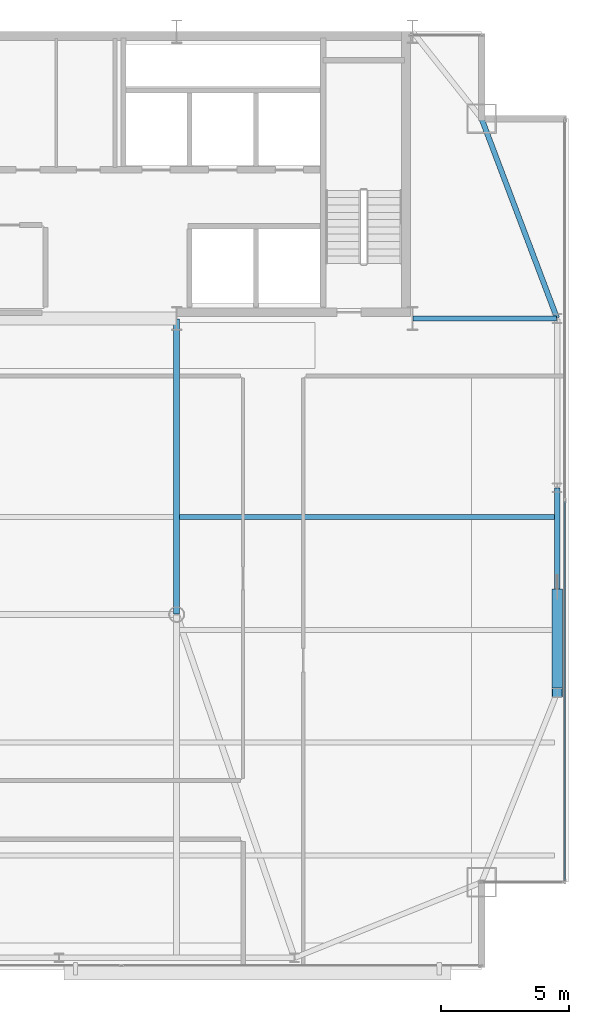
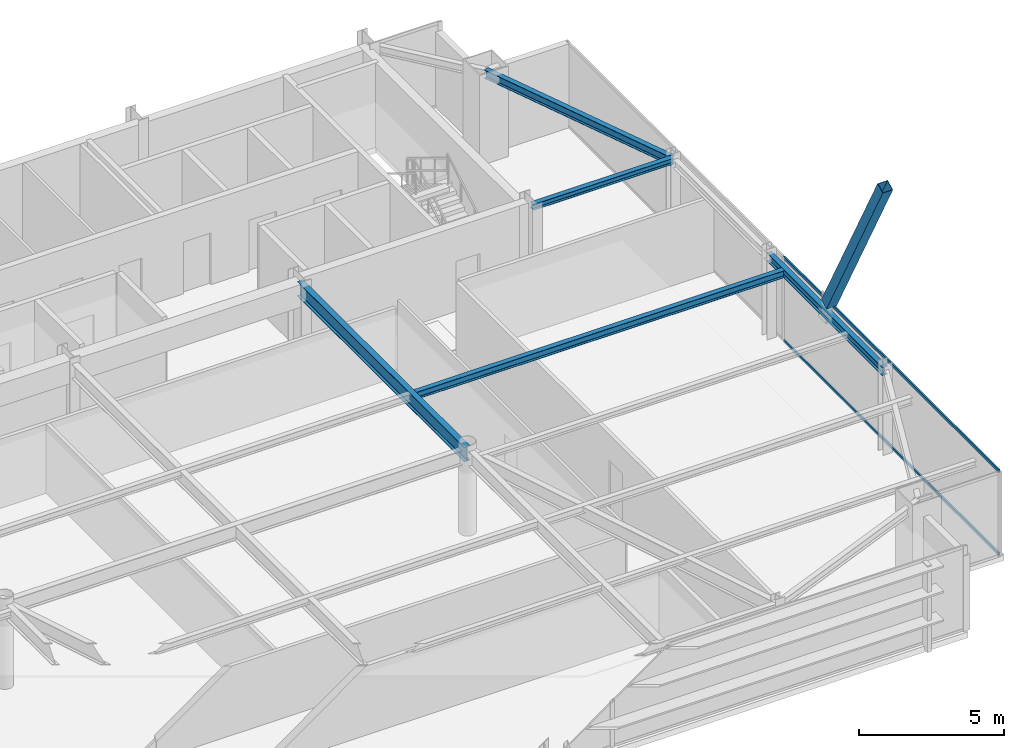
# One storey, part 15 of 27: 5 beams, 3 members, 1 element without a shape of its own.
"""IFC4 building model written with IfcOpenShell, lengths in metres."""

from ifc_helpers import new_model, si_unit, direction, frame, origin, origin_2d, place, context, subcontext, project, spatial, hollow_rectangle, i_section, extrude, source, transform, mapped, material, layer, layer_set, material_profile, profile_set, type_object, type_shapes, element, aggregate, save


model = new_model("IFC4")

# Units and contexts
model_context = context("Model", 3, precision=1e-05, world=origin(), true_north=direction((0.0, 1.0)))
body_context = subcontext(model_context, "Body", "Model", "MODEL_VIEW")
ifc_project = project(units=[si_unit("LENGTHUNIT", "METRE"), si_unit("AREAUNIT", "SQUARE_METRE"), si_unit("VOLUMEUNIT", "CUBIC_METRE"), si_unit("PLANEANGLEUNIT", "RADIAN"), si_unit("MASSUNIT", "GRAM", prefix="KILO")], contexts=[model_context])

# Site, building, storey
site_placement = place(None, origin())
site = spatial("IfcSite", under=ifc_project, at=site_placement, CompositionType="ELEMENT")
building_placement = place(site_placement, origin())
building = spatial("IfcBuilding", under=site, at=building_placement, Name="Varnel Quay Broadcast Tower", CompositionType="ELEMENT")
storey_placement = place(building_placement, frame((0.0, 0.0, 203.60009765625)))
storey = spatial("IfcBuildingStorey", under=building, at=storey_placement, Name="L50", CompositionType="ELEMENT", Elevation=203.60009765625)

# Beams
ifc_material_1 = material(Name="Structural Steel CSA G40.21 350W", Category="steel")
ifc_material_profile_1 = material_profile(ifc_material_1, i_section(OverallWidth=0.205078125, OverallDepth=0.35400390625, WebThickness=0.009521484375, FlangeThickness=0.016845703125, FilletRadius=0.012939453125, at=origin_2d()), Name="W360X79")
ifc_profile_set_1 = profile_set([ifc_material_profile_1], Name="Structural Steel CSA G40.21 350W")
beam_type_1 = type_object("IfcBeamType", Name="Beam_W360X79", PredefinedType="SPANDREL", material=ifc_profile_set_1)
shared_shape_1 = source(origin(), body_context, "Body", "SweptSolid", [
    extrude(i_section(OverallWidth=0.205078125, OverallDepth=0.35400390625, WebThickness=0.009521484375, FlangeThickness=0.016845703125, FilletRadius=0.012939453125, at=origin_2d()), origin(), (0.0, 0.0, 1.0), 7.9599609375),
])
beam_1_placement = place(storey_placement, frame((58.050048828125, 21.02001953125, 3.372802734375), z_axis=(0.0, 1.0, 0.0), x_axis=(-1.0, 0.0, 0.0)))
element("IfcBeam", 1, at=beam_1_placement, inside=storey, type_object=beam_type_1, Name="L50 East Spandrel TC-E1-TC-E2", PredefinedType="SPANDREL", context=body_context, shape_type="MappedRepresentation", body=[
    mapped(shared_shape_1, transform((0.0, 0.0, 0.0), x_axis=(1.0, 0.0, 0.0), y_axis=(0.0, 1.0, 0.0), z_axis=(0.0, 0.0, 1.0), scale=1.0)),
])
shared_shape_2 = source(origin(), body_context, "Body", "SweptSolid", [
    extrude(i_section(OverallWidth=0.205078125, OverallDepth=0.35400390625, WebThickness=0.009521484375, FlangeThickness=0.016845703125, FilletRadius=0.012939453125, at=origin_2d()), origin(), (0.0, 0.0, 1.0), 8.29931640625),
])
type_shapes(beam_type_1, [shared_shape_1, shared_shape_2])
beam_2_placement = place(storey_placement, frame((58.04296875, 35.61865234375, 3.372802734375), z_axis=(-0.353739782058, 0.935343876117, 0.0), x_axis=(-0.935343876117, -0.353739782058, 0.0)))
element("IfcBeam", 2, at=beam_2_placement, inside=storey, type_object=beam_type_1, Name="L50 East Spandrel TC-E3-MC-NE", PredefinedType="SPANDREL", context=body_context, shape_type="MappedRepresentation", body=[
    mapped(shared_shape_2, transform((0.0, 0.0, 0.0), x_axis=(1.0, 0.0, 0.0), y_axis=(0.0, 1.0, 0.0), z_axis=(0.0, 0.0, 1.0), scale=1.0)),
])
ifc_material_profile_2 = material_profile(ifc_material_1, i_section(OverallWidth=0.22998046875, OverallDepth=0.616943359375, WebThickness=0.01318359375, FlangeThickness=0.022216796875, FilletRadius=0.01611328125, at=origin_2d()), Name="W610X140")
ifc_profile_set_2 = profile_set([ifc_material_profile_2], Name="Structural Steel CSA G40.21 350W")
beam_type_2 = type_object("IfcBeamType", Name="Girder_W610X140", PredefinedType="BEAM", material=ifc_profile_set_2)
shared_shape_3 = source(origin(), body_context, "Body", "SweptSolid", [
    extrude(i_section(OverallWidth=0.22998046875, OverallDepth=0.616943359375, WebThickness=0.01318359375, FlangeThickness=0.022216796875, FilletRadius=0.01611328125, at=origin_2d()), origin(), (0.0, 0.0, 1.0), 11.510009765625),
])
type_shapes(beam_type_2, [shared_shape_3])
beam_3_placement = place(storey_placement, frame((43.199951171875, 24.070068359375, 3.241455078125), z_axis=(0.0, 1.0, 0.0), x_axis=(-1.0, 0.0, 0.0)))
element("IfcBeam", 3, at=beam_3_placement, inside=storey, type_object=beam_type_2, Name="L50 Primary Girder IC-02-CC-S4", PredefinedType="BEAM", context=body_context, shape_type="MappedRepresentation", body=[
    mapped(shared_shape_3, transform((0.0, 0.0, 0.0), x_axis=(1.0, 0.0, 0.0), y_axis=(0.0, 1.0, 0.0), z_axis=(0.0, 0.0, 1.0), scale=1.0)),
])
ifc_material_profile_3 = material_profile(ifc_material_1, i_section(OverallWidth=0.201904296875, OverallDepth=0.2470703125, WebThickness=0.00732421875, FlangeThickness=0.010986328125, FilletRadius=0.010986328125, at=origin_2d()), Name="W250X49")
ifc_profile_set_3 = profile_set([ifc_material_profile_3], Name="Structural Steel CSA G40.21 350W")
beam_type_3 = type_object("IfcBeamType", Name="Beam_W250X49", PredefinedType="JOIST", material=ifc_profile_set_3)
shared_shape_4 = source(origin(), body_context, "Body", "SweptSolid", [
    extrude(i_section(OverallWidth=0.201904296875, OverallDepth=0.2470703125, WebThickness=0.00732421875, FlangeThickness=0.010986328125, FilletRadius=0.010986328125, at=origin_2d()), origin(), (0.0, 0.0, 1.0), 5.610107421875),
])
type_shapes(beam_type_3, [shared_shape_4])
beam_4_placement = place(storey_placement, frame((52.419921875, 35.60009765625, 3.426513671875), z_axis=(1.0, 0.0, 0.0), x_axis=(0.0, 1.0, 0.0)))
element("IfcBeam", 4, at=beam_4_placement, inside=storey, type_object=beam_type_3, Name="L50 East Core Tie Joist", PredefinedType="JOIST", context=body_context, shape_type="MappedRepresentation", body=[
    mapped(shared_shape_4, transform((0.0, 0.0, 0.0), x_axis=(1.0, 0.0, 0.0), y_axis=(0.0, 1.0, 0.0), z_axis=(0.0, 0.0, 1.0), scale=1.0)),
])
ifc_material_profile_4 = material_profile(ifc_material_1, i_section(OverallWidth=0.202880859375, OverallDepth=0.302978515625, WebThickness=0.007568359375, FlangeThickness=0.01318359375, FilletRadius=0.011962890625, at=origin_2d()), Name="W310X60")
ifc_profile_set_4 = profile_set([ifc_material_profile_4], Name="Structural Steel CSA G40.21 350W")
beam_type_4 = type_object("IfcBeamType", Name="Beam_W310X60", PredefinedType="JOIST", material=ifc_profile_set_4)
shared_shape_5 = source(origin(), body_context, "Body", "SweptSolid", [
    extrude(i_section(OverallWidth=0.202880859375, OverallDepth=0.302978515625, WebThickness=0.007568359375, FlangeThickness=0.01318359375, FilletRadius=0.011962890625, at=origin_2d()), origin(), (0.0, 0.0, 1.0), 14.642333984375),
])
type_shapes(beam_type_4, [shared_shape_5])
beam_5_placement = place(storey_placement, frame((43.31005859375, 27.85009765625, 3.3984375), z_axis=(1.0, 0.0, 0.0), x_axis=(0.0, 1.0, 0.0)))
element("IfcBeam", 5, at=beam_5_placement, inside=storey, type_object=beam_type_4, Name="L50 East Floor Joist 4", PredefinedType="JOIST", context=body_context, shape_type="MappedRepresentation", body=[
    mapped(shared_shape_5, transform((0.0, 0.0, 0.0), x_axis=(1.0, 0.0, 0.0), y_axis=(0.0, 1.0, 0.0), z_axis=(0.0, 0.0, 1.0), scale=1.0)),
])

# Member
ifc_material_profile_5 = material_profile(ifc_material_1, hollow_rectangle(XDim=0.406005859375, YDim=0.406005859375, WallThickness=0.01611328125, at=origin_2d()), Name="HSS406X406X16")
ifc_profile_set_5 = profile_set([ifc_material_profile_5], Name="Structural Steel CSA G40.21 350W")
member_type_1 = type_object("IfcMemberType", Name="Brace_HSS406X406X16", PredefinedType="BRACE", material=ifc_profile_set_5)
shared_shape_6 = source(origin(), body_context, "Body", "SweptSolid", [
    extrude(hollow_rectangle(XDim=0.406005859375, YDim=0.406005859375, WallThickness=0.01611328125, at=origin_2d()), origin(), (0.0, 0.0, 1.0), 8.191650390625),
])
type_shapes(member_type_1, [shared_shape_6])
member_1_placement = place(storey_placement, frame((58.050048828125, 24.873046875, 3.91162109375), z_axis=(0.0, -0.47280190134, 0.881168747794), x_axis=(1.0, 0.0, 0.0)))
element("IfcMember", 6, at=member_1_placement, inside=storey, type_object=member_type_1, Name="Zone 4 Mega-Brace E-FT1 Split Diag B2", PredefinedType="BRACE", context=body_context, shape_type="MappedRepresentation", body=[
    mapped(shared_shape_6, transform((0.0, 0.0, 0.0), x_axis=(1.0, 0.0, 0.0), y_axis=(0.0, 1.0, 0.0), z_axis=(0.0, 0.0, 1.0), scale=1.0)),
])

# Curtain wall, members
ifc_material_2 = material(Name="Anodised Bronze Aluminium 6063-T6", Category="aluminium")
ifc_layer = layer(ifc_material_2, 0.18994140625, Name="Anodised Bronze Aluminium 6063-T6")
ifc_layer_set = layer_set([ifc_layer], Name="Anodised Bronze Aluminium 6063-T6")
curtain_wall_type = type_object("IfcCurtainWallType", Name="CW_UpperTower", PredefinedType="NOTDEFINED", material=ifc_layer_set)
curtain_wall_placement = place(storey_placement, origin())
curtain_wall = element("IfcCurtainWall", 7, at=curtain_wall_placement, inside=storey, type_object=curtain_wall_type, Name="L50 East Unitised Curtain Wall", PredefinedType="NOTDEFINED")
ifc_material_profile_6 = material_profile(ifc_material_2, hollow_rectangle(XDim=0.06005859375, YDim=0.125, WallThickness=0.0029296875, at=origin_2d()), Name="ALU60X125X3")
ifc_profile_set_6 = profile_set([ifc_material_profile_6], Name="Anodised Bronze Aluminium 6063-T6")
member_type_2 = type_object("IfcMemberType", Name="Tran_CWS-03", PredefinedType="USERDEFINED", material=ifc_profile_set_6)
shared_shape_7 = source(origin(), body_context, "Body", "SweptSolid", [
    extrude(hollow_rectangle(XDim=0.06005859375, YDim=0.125, WallThickness=0.0029296875, at=origin_2d()), origin(), (0.0, 0.0, 1.0), 14.802490234375),
])
type_shapes(member_type_2, [shared_shape_7])
member_2_placement = place(storey_placement, frame((58.35009765625, 13.6650390625, 0.02978515625), z_axis=(0.0, 1.0, 0.0), x_axis=(-1.0, 0.0, 0.0)))
member_2 = element("IfcMember", 8, at=member_2_placement, type_object=member_type_2, Name="CWS-03 transom 1.1", ObjectType="TRANSOM", PredefinedType="USERDEFINED", context=body_context, shape_type="MappedRepresentation", body=[
    mapped(shared_shape_7, transform((0.0, 0.0, 0.0), x_axis=(1.0, 0.0, 0.0), y_axis=(0.0, 1.0, 0.0), z_axis=(0.0, 0.0, 1.0), scale=1.0)),
])
member_3_placement = place(storey_placement, frame((58.35009765625, 13.6650390625, 3.52001953125), z_axis=(0.0, 1.0, 0.0), x_axis=(-1.0, 0.0, 0.0)))
member_3 = element("IfcMember", 9, at=member_3_placement, type_object=member_type_2, Name="CWS-03 transom 1.2", ObjectType="TRANSOM", PredefinedType="USERDEFINED", context=body_context, shape_type="MappedRepresentation", body=[
    mapped(shared_shape_7, transform((0.0, 0.0, 0.0), x_axis=(1.0, 0.0, 0.0), y_axis=(0.0, 1.0, 0.0), z_axis=(0.0, 0.0, 1.0), scale=1.0)),
])
aggregate(curtain_wall, [member_2, member_3])

save(model, "model.ifc")
